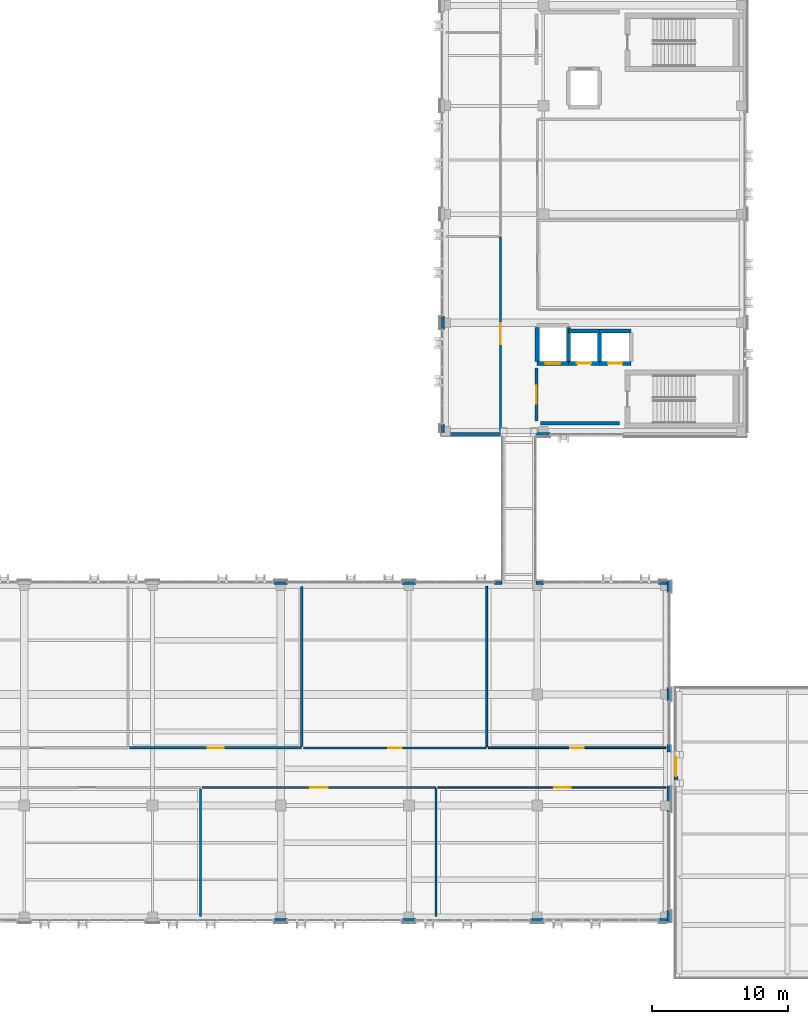
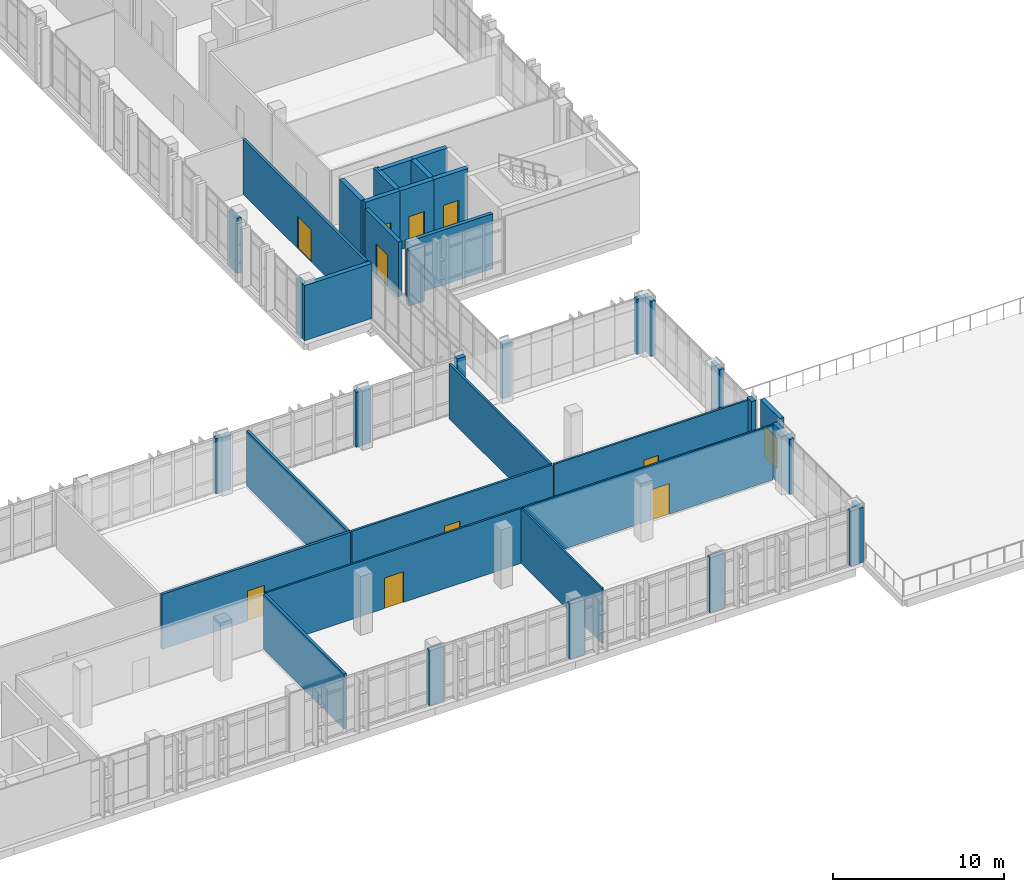
# One storey, part 135 of 165: 39 walls, 11 doors, 11 openings.
"""IFC4 building model written with IfcOpenShell, lengths in metres."""

from ifc_helpers import new_model, si_unit, direction, frame, frame_2d, origin, place, context, subcontext, project, spatial, rectangle, extrude, material, layer, layer_set, type_object, element, fill, save


model = new_model("IFC4")

# Units and contexts
model_context = context("Model", 3, precision=1e-05, world=origin(), true_north=direction((0.0, 1.0)))
body_context = subcontext(model_context, "Body", "Model", "MODEL_VIEW")
ifc_project = project(units=[si_unit("LENGTHUNIT", "METRE"), si_unit("AREAUNIT", "SQUARE_METRE"), si_unit("VOLUMEUNIT", "CUBIC_METRE"), si_unit("PLANEANGLEUNIT", "RADIAN"), si_unit("MASSUNIT", "GRAM", prefix="KILO")], contexts=[model_context])

# Site, building, storey
site_placement = place(None, origin())
site = spatial("IfcSite", under=ifc_project, at=site_placement, CompositionType="ELEMENT")
building_placement = place(site_placement, origin())
building = spatial("IfcBuilding", under=site, at=building_placement, Name="Qalavern Law Courts", CompositionType="ELEMENT")
storey_placement = place(building_placement, frame((0.0, 0.0, 14.39990234375)))
storey = spatial("IfcBuildingStorey", under=building, at=storey_placement, Name="L03", CompositionType="ELEMENT", Elevation=14.39990234375)

# Walls
ifc_material_1 = material(Name="Concrete C40/50", Category="concrete")
ifc_layer_1 = layer(ifc_material_1, 0.294921875)
ifc_layer_set_1 = layer_set([ifc_layer_1], Name="Concrete C40/50")
wall_type_1 = type_object("IfcWallType", Name="ENV-EW-295", PredefinedType="SOLIDWALL", material=ifc_layer_set_1)
for number, where, z_axis, x_axis, name in (
    (1, (71.93701171875, 5.347412109375, 0.0), (0.0, 0.0, 1.0), (1.0, 0.0, 0.0), "V2 exterior pier wall L03 south 4"),
    (2, (81.391357421875, 5.347412109375, 0.0), (0.0, 0.0, 1.0), (1.0, 0.0, 0.0), "V2 exterior pier wall L03 south 5"),
    (3, (90.845703125, 5.347412109375, 0.0), (0.0, 0.0, 1.0), (1.0, 0.0, 0.0), "V2 exterior pier wall L03 south 6"),
):
    element("IfcWall", number, at=place(storey_placement, frame(where, z_axis=z_axis, x_axis=x_axis)), inside=storey, type_object=wall_type_1, Name=name, PredefinedType="SOLIDWALL", context=body_context, shape_type="SweptSolid", body=[
        extrude(rectangle(XDim=1.0, YDim=0.294921875, at=frame_2d((0.5, 0.0))), origin(), (0.0, 0.0, 1.0), 3.920166015625),
    ])
wall_1_placement = place(storey_placement, frame((100.300048828125, 5.347412109375, 0.0), z_axis=(0.0, 0.0, 1.0), x_axis=(1.0, 0.0, 0.0)))
element("IfcWall", 4, at=wall_1_placement, inside=storey, type_object=wall_type_1, Name="V2 exterior pier wall L03 south 7", PredefinedType="SOLIDWALL", context=body_context, shape_type="SweptSolid", body=[
    extrude(rectangle(XDim=0.60986328125, YDim=0.294921875, at=frame_2d((0.304931640625, 0.0))), origin(), (0.0, 0.0, 1.0), 3.920166015625),
])
wall_2_placement = place(storey_placement, frame((101.052490234375, 5.199951171875, 0.0), z_axis=(0.0, 0.0, 1.0), x_axis=(0.0, 1.0, 0.0)))
element("IfcWall", 5, at=wall_2_placement, inside=storey, type_object=wall_type_1, Name="V2 exterior pier wall L03 east 1", PredefinedType="SOLIDWALL", context=body_context, shape_type="SweptSolid", body=[
    extrude(rectangle(XDim=0.900146484375, YDim=0.294921875, at=frame_2d((0.4501953125, 0.0))), origin(), (0.0, 0.0, 1.0), 3.920166015625),
])
wall_3_placement = place(storey_placement, frame((101.052490234375, 13.300048828125, 0.0), z_axis=(0.0, 0.0, 1.0), x_axis=(0.0, 1.0, 0.0)))
element("IfcWall", 6, at=wall_3_placement, inside=storey, type_object=wall_type_1, Name="V2 exterior pier wall L03 east 2", PredefinedType="SOLIDWALL", context=body_context, shape_type="SweptSolid", body=[
    extrude(rectangle(XDim=1.949951171875, YDim=0.294921875, at=frame_2d((0.97509765625, 0.0))), origin(), (0.0, 0.0, 1.0), 3.920166015625),
])
wall_4_placement = place(storey_placement, frame((101.052490234375, 17.75, 0.0), z_axis=(0.0, 0.0, 1.0), x_axis=(0.0, 1.0, 0.0)))
element("IfcWall", 7, at=wall_4_placement, inside=storey, type_object=wall_type_1, Name="V2 exterior pier wall L03 east 1", PredefinedType="SOLIDWALL", context=body_context, shape_type="SweptSolid", body=[
    extrude(rectangle(XDim=0.550048828125, YDim=0.294921875, at=frame_2d((0.27490234375, 0.0))), origin(), (0.0, 0.0, 1.0), 3.920166015625),
])
wall_5_placement = place(storey_placement, frame((101.052490234375, 21.5, 0.0), z_axis=(0.0, 0.0, 1.0), x_axis=(0.0, 1.0, 0.0)))
element("IfcWall", 8, at=wall_5_placement, inside=storey, type_object=wall_type_1, Name="V2 exterior pier wall L03 east 2", PredefinedType="SOLIDWALL", context=body_context, shape_type="SweptSolid", body=[
    extrude(rectangle(XDim=1.0, YDim=0.294921875, at=frame_2d((0.5, 0.0))), origin(), (0.0, 0.0, 1.0), 3.920166015625),
])
wall_6_placement = place(storey_placement, frame((101.052490234375, 29.5, 0.0), z_axis=(0.0, 0.0, 1.0), x_axis=(0.0, 1.0, 0.0)))
element("IfcWall", 9, at=wall_6_placement, inside=storey, type_object=wall_type_1, Name="V2 exterior pier wall L03 east 3", PredefinedType="SOLIDWALL", context=body_context, shape_type="SweptSolid", body=[
    extrude(rectangle(XDim=0.89990234375, YDim=0.294921875, at=frame_2d((0.449951171875, 0.0))), origin(), (0.0, 0.0, 1.0), 3.920166015625),
])
wall_7_placement = place(storey_placement, frame((100.909912109375, 30.25244140625, 0.0), z_axis=(0.0, 0.0, 1.0), x_axis=(-1.0, 0.0, 0.0)))
element("IfcWall", 10, at=wall_7_placement, inside=storey, type_object=wall_type_1, Name="V2 exterior pier wall L03 north 1", PredefinedType="SOLIDWALL", context=body_context, shape_type="SweptSolid", body=[
    extrude(rectangle(XDim=0.60986328125, YDim=0.294921875, at=frame_2d((0.304931640625, 0.0))), origin(), (0.0, 0.0, 1.0), 3.920166015625),
])
wall_8_placement = place(storey_placement, frame((91.845703125, 30.25244140625, 0.0), z_axis=(0.0, 0.0, 1.0), x_axis=(-1.0, 0.0, 0.0)))
element("IfcWall", 11, at=wall_8_placement, inside=storey, type_object=wall_type_1, Name="V2 exterior pier wall L03 north 2", PredefinedType="SOLIDWALL", context=body_context, shape_type="SweptSolid", body=[
    extrude(rectangle(XDim=0.595703125, YDim=0.294921875, at=frame_2d((0.2978515625, 0.0))), origin(), (0.0, 0.0, 1.0), 3.920166015625),
])
wall_9_placement = place(storey_placement, frame((88.75, 30.25244140625, 0.0), z_axis=(0.0, 0.0, 1.0), x_axis=(-1.0, 0.0, 0.0)))
element("IfcWall", 12, at=wall_9_placement, inside=storey, type_object=wall_type_1, Name="V2 exterior pier wall L03 north 1", PredefinedType="SOLIDWALL", context=body_context, shape_type="SweptSolid", body=[
    extrude(rectangle(XDim=0.550048828125, YDim=0.294921875, at=frame_2d((0.27490234375, 0.0))), origin(), (0.0, 0.0, 1.0), 3.920166015625),
])
for number, where, z_axis, x_axis, name in (
    (13, (82.391357421875, 30.25244140625, 0.0), (0.0, 0.0, 1.0), (-1.0, 0.0, 0.0), "V2 exterior pier wall L03 north 2"),
    (14, (72.93701171875, 30.25244140625, 0.0), (0.0, 0.0, 1.0), (-1.0, 0.0, 0.0), "V2 exterior pier wall L03 north 3"),
):
    element("IfcWall", number, at=place(storey_placement, frame(where, z_axis=z_axis, x_axis=x_axis)), inside=storey, type_object=wall_type_1, Name=name, PredefinedType="SOLIDWALL", context=body_context, shape_type="SweptSolid", body=[
        extrude(rectangle(XDim=1.0, YDim=0.294921875, at=frame_2d((0.5, 0.0))), origin(), (0.0, 0.0, 1.0), 3.920166015625),
    ])
wall_10_placement = place(storey_placement, frame((84.199951171875, 41.16748046875, 0.0), z_axis=(0.0, 0.0, 1.0), x_axis=(1.0, 0.0, 0.0)))
element("IfcWall", 15, at=wall_10_placement, inside=storey, type_object=wall_type_1, Name="V4 exterior wall L03 south 1", PredefinedType="SOLIDWALL", context=body_context, shape_type="SweptSolid", body=[
    extrude(rectangle(XDim=4.550048828125, YDim=0.294921875, at=frame_2d((2.27490234375, 0.0))), origin(), (0.0, 0.0, 1.0), 3.920166015625),
])
wall_11_placement = place(storey_placement, frame((91.25, 41.16748046875, 0.0), z_axis=(0.0, 0.0, 1.0), x_axis=(1.0, 0.0, 0.0)))
element("IfcWall", 16, at=wall_11_placement, inside=storey, type_object=wall_type_1, Name="V4 exterior pier wall L03 south 1", PredefinedType="SOLIDWALL", context=body_context, shape_type="SweptSolid", body=[
    extrude(rectangle(XDim=1.050048828125, YDim=0.294921875, at=frame_2d((0.52490234375, 0.0))), origin(), (0.0, 0.0, 1.0), 3.920166015625),
])
wall_12_placement = place(storey_placement, frame((84.347412109375, 49.89990234375, 0.0), z_axis=(0.0, 0.0, 1.0), x_axis=(0.0, -1.0, 0.0)))
element("IfcWall", 17, at=wall_12_placement, inside=storey, type_object=wall_type_1, Name="V4 exterior pier wall L03 west 6", PredefinedType="SOLIDWALL", context=body_context, shape_type="SweptSolid", body=[
    extrude(rectangle(XDim=1.0, YDim=0.294921875, at=frame_2d((0.5, 0.0))), origin(), (0.0, 0.0, 1.0), 3.920166015625),
])
wall_13_placement = place(storey_placement, frame((84.347412109375, 41.919921875, 0.0), z_axis=(0.0, 0.0, 1.0), x_axis=(0.0, -1.0, 0.0)))
element("IfcWall", 18, at=wall_13_placement, inside=storey, type_object=wall_type_1, Name="V4 exterior pier wall L03 west 7", PredefinedType="SOLIDWALL", context=body_context, shape_type="SweptSolid", body=[
    extrude(rectangle(XDim=0.60986328125, YDim=0.294921875, at=frame_2d((0.304931640625, 0.0))), origin(), (0.0, 0.0, 1.0), 3.920166015625),
])

# Wall, opening, door
wall_14_placement = place(storey_placement, frame((101.580078125, 15.3798828125, 0.0), z_axis=(0.0, 0.0, 1.0), x_axis=(0.0, 1.0, 0.0)))
wall_14 = element("IfcWall", 19, at=wall_14_placement, inside=storey, type_object=wall_type_1, Name="Bridge V2-V6 L03 terrace vestibule wall", PredefinedType="SOLIDWALL", context=body_context, shape_type="SweptSolid", body=[
    extrude(rectangle(XDim=2.240234375, YDim=0.294921875, at=frame_2d((1.1201171875, 0.0))), origin(), (0.0, 0.0, 1.0), 3.97216796875),
])
opening_1_placement = place(wall_14_placement, frame((0.580078125, 0.0, 0.0)))
opening_1 = element("IfcOpeningElement", 20, at=opening_1_placement, cuts=wall_14, Name="Opening TD-V6-L03", PredefinedType="OPENING", context=body_context, shape_type="SweptSolid", body=[
    extrude(rectangle(XDim=1.43994140625, YDim=2.219970703125, at=frame_2d((0.719970703125, 1.10986328125))), frame((0.0, 0.162353515625, 0.0), z_axis=(0.0, -1.0, 0.0), x_axis=(1.0, 0.0, 0.0)), (0.0, 0.0, 1.0), 0.32470703125),
])
ifc_material_2 = material(Name="Thermally broken anodised aluminium and laminated safety glass", Category="aluminium")
door_type_1 = type_object("IfcDoorType", Name="ENV-TD-1440x2220", OperationType="DOUBLE_DOOR_SINGLE_SWING", PredefinedType="DOOR", material=ifc_material_2)
door_1_placement = place(opening_1_placement, frame((1.43994140625, 0.0, 0.0), z_axis=(0.0, 0.0, 1.0), x_axis=(-1.0, 0.0, 0.0)))
door_1 = element("IfcDoor", 21, at=door_1_placement, inside=storey, type_object=door_type_1, Name="V6 civic roof terrace access door L03", OperationType="DOUBLE_DOOR_SINGLE_SWING", OverallHeight=2.219970703125, OverallWidth=1.43994140625, PredefinedType="DOOR", context=body_context, shape_type="SweptSolid", body=[
    extrude(rectangle(XDim=1.43994140625, YDim=2.219970703125, at=frame_2d((0.719970703125, 1.10986328125))), frame((0.0, 0.02490234375, 0.0), z_axis=(0.0, -1.0, 0.0), x_axis=(1.0, 0.0, 0.0)), (0.0, 0.0, 1.0), 0.050048828125),
])
fill(opening_1, door_1)

ifc_layer_2 = layer(ifc_material_1, 0.2451171875)
ifc_layer_set_2 = layer_set([ifc_layer_2], Name="Concrete C40/50")
wall_type_2 = type_object("IfcWallType", Name="INT-FW-245", PredefinedType="PARTITIONING", material=ifc_layer_set_2)
wall_15_placement = place(storey_placement, frame((91.300048828125, 42.14990234375, 0.0), z_axis=(0.0, 0.0, 1.0), x_axis=(0.0, 1.0, 0.0)))
wall_15 = element("IfcWall", 22, at=wall_15_placement, inside=storey, type_object=wall_type_2, Name="Core K1A firefighting/stair lobby fire wall L03", PredefinedType="PARTITIONING", context=body_context, shape_type="SweptSolid", body=[
    extrude(rectangle(XDim=3.900146484375, YDim=0.2451171875, at=frame_2d((1.9501953125, 0.0))), origin(), (0.0, 0.0, 1.0), 3.920166015625),
])
opening_2_placement = place(wall_15_placement, frame((1.27490234375, 0.0, 0.0)))
opening_2 = element("IfcOpeningElement", 23, at=opening_2_placement, cuts=wall_15, Name="Opening L03-D012", PredefinedType="OPENING", context=body_context, shape_type="SweptSolid", body=[
    extrude(rectangle(XDim=1.35009765625, YDim=2.199951171875, at=frame_2d((0.675048828125, 1.10009765625))), frame((0.0, 0.137451171875, 0.0), z_axis=(0.0, -1.0, 0.0), x_axis=(1.0, 0.0, 0.0)), (0.0, 0.0, 1.0), 0.27490234375),
])
ifc_material_3 = material(Name="Steel fire-rated frame and acoustic timber leaves", Category="steel")
door_type_2 = type_object("IfcDoorType", Name="INT-FD-1350x2200", OperationType="DOUBLE_DOOR_SINGLE_SWING", PredefinedType="DOOR", material=ifc_material_3)
door_2_placement = place(opening_2_placement, origin())
door_2 = element("IfcDoor", 24, at=door_2_placement, inside=storey, type_object=door_type_2, Name="Core K1A lobby fire door L03", OperationType="DOUBLE_DOOR_SINGLE_SWING", OverallHeight=2.199951171875, OverallWidth=1.35009765625, PredefinedType="DOOR", context=body_context, shape_type="SweptSolid", body=[
    extrude(rectangle(XDim=1.35009765625, YDim=2.199951171875, at=frame_2d((0.675048828125, 1.10009765625))), frame((0.0, 0.02490234375, 0.0), z_axis=(0.0, -1.0, 0.0), x_axis=(1.0, 0.0, 0.0)), (0.0, 0.0, 1.0), 0.050048828125),
])
fill(opening_2, door_2)

# Wall
wall_16_placement = place(storey_placement, frame((91.60009765625, 42.0, 0.0), z_axis=(0.0, 0.0, 1.0), x_axis=(1.0, 0.0, 0.0)))
element("IfcWall", 25, at=wall_16_placement, inside=storey, type_object=wall_type_2, Name="Core K1A lobby return wall L03 south", PredefinedType="PARTITIONING", context=body_context, shape_type="SweptSolid", body=[
    extrude(rectangle(XDim=5.7998046875, YDim=0.2451171875, at=frame_2d((2.89990234375, 0.0))), origin(), (0.0, 0.0, 1.0), 3.920166015625),
])

# Wall, opening, door
ifc_material_4 = material(Name="Gypsum stud partition")
ifc_layer_3 = layer(ifc_material_4, 0.112060546875)
ifc_layer_set_3 = layer_set([ifc_layer_3], Name="Gypsum stud partition")
wall_type_3 = type_object("IfcWallType", Name="INT-PW-112", PredefinedType="PARTITIONING", material=ifc_layer_set_3)
wall_17_placement = place(storey_placement, frame((84.00390625, 15.139892578125, 0.0), z_axis=(0.0, 0.0, 1.0), x_axis=(1.0, 0.0, 0.0)))
wall_17 = element("IfcWall", 26, at=wall_17_placement, inside=storey, type_object=wall_type_3, Name="En Banc Judges Robing Suite corridor partition L03", PredefinedType="PARTITIONING", context=body_context, shape_type="SweptSolid", body=[
    extrude(rectangle(XDim=16.816162109375, YDim=0.112060546875, at=frame_2d((8.408203125, 0.0))), origin(), (0.0, 0.0, 1.0), 3.920166015625),
])
opening_3_placement = place(wall_17_placement, frame((8.597900390625, 0.0, 0.0)))
opening_3 = element("IfcOpeningElement", 27, at=opening_3_placement, cuts=wall_17, Name="Opening L03-D182", PredefinedType="OPENING", context=body_context, shape_type="SweptSolid", body=[
    extrude(rectangle(XDim=1.219970703125, YDim=2.179931640625, at=frame_2d((0.60986328125, 1.08984375))), frame((0.0, 0.07080078125, 0.0), z_axis=(0.0, -1.0, 0.0), x_axis=(1.0, 0.0, 0.0)), (0.0, 0.0, 1.0), 0.141845703125),
])
ifc_material_5 = material(Name="Wide oak Plenary Boardroom door")
door_type_3 = type_object("IfcDoorType", Name="INT-ID-1220x2180", OperationType="NOTDEFINED", PredefinedType="DOOR", material=ifc_material_5)
door_3_placement = place(opening_3_placement, frame((1.219970703125, 0.0, 0.0), z_axis=(0.0, 0.0, 1.0), x_axis=(-1.0, 0.0, 0.0)))
door_3 = element("IfcDoor", 28, at=door_3_placement, inside=storey, type_object=door_type_3, Name="En Banc Judges Robing Suite door L03", OperationType="SINGLE_SWING_RIGHT", OverallHeight=2.179931640625, OverallWidth=1.219970703125, PredefinedType="DOOR", context=body_context, shape_type="SweptSolid", body=[
    extrude(rectangle(XDim=1.219970703125, YDim=2.179931640625, at=frame_2d((0.60986328125, 1.08984375))), frame((0.0, 0.02490234375, 0.0), z_axis=(0.0, -1.0, 0.0), x_axis=(1.0, 0.0, 0.0)), (0.0, 0.0, 1.0), 0.050048828125),
])
fill(opening_3, door_3)

ifc_layer_4 = layer(ifc_material_4, 0.1220703125)
ifc_layer_set_4 = layer_set([ifc_layer_4], Name="Gypsum stud partition")
wall_type_4 = type_object("IfcWallType", Name="INT-PW-122", PredefinedType="PARTITIONING", material=ifc_layer_set_4)
wall_18_placement = place(storey_placement, frame((66.637939453125, 15.139892578125, 0.0), z_axis=(0.0, 0.0, 1.0), x_axis=(1.0, 0.0, 0.0)))
wall_18 = element("IfcWall", 29, at=wall_18_placement, inside=storey, type_object=wall_type_4, Name="Ceremonial Public Waiting Hall corridor partition L03", PredefinedType="PARTITIONING", context=body_context, shape_type="SweptSolid", body=[
    extrude(rectangle(XDim=17.24609375, YDim=0.1220703125, at=frame_2d((8.623046875, 0.0))), origin(), (0.0, 0.0, 1.0), 3.920166015625),
])
opening_4_placement = place(wall_18_placement, frame((7.98291015625, 0.0, 0.0)))
opening_4 = element("IfcOpeningElement", 30, at=opening_4_placement, cuts=wall_18, Name="Opening L03-D181", PredefinedType="OPENING", context=body_context, shape_type="SweptSolid", body=[
    extrude(rectangle(XDim=1.280029296875, YDim=2.179931640625, at=frame_2d((0.64013671875, 1.08984375))), frame((0.0, 0.075927734375, 0.0), z_axis=(0.0, -1.0, 0.0), x_axis=(1.0, 0.0, 0.0)), (0.0, 0.0, 1.0), 0.15185546875),
])
ifc_material_6 = material(Name="Wide oak Judicial Conference door")
door_type_4 = type_object("IfcDoorType", Name="INT-ID-1280x2180", OperationType="NOTDEFINED", PredefinedType="DOOR", material=ifc_material_6)
door_4_placement = place(opening_4_placement, frame((1.280029296875, 0.0, 0.0), z_axis=(0.0, 0.0, 1.0), x_axis=(-1.0, 0.0, 0.0)))
door_4 = element("IfcDoor", 31, at=door_4_placement, inside=storey, type_object=door_type_4, Name="Ceremonial Public Waiting Hall door L03", OperationType="SINGLE_SWING_LEFT", OverallHeight=2.179931640625, OverallWidth=1.280029296875, PredefinedType="DOOR", context=body_context, shape_type="SweptSolid", body=[
    extrude(rectangle(XDim=1.280029296875, YDim=2.179931640625, at=frame_2d((0.64013671875, 1.08984375))), frame((0.0, 0.02490234375, 0.0), z_axis=(0.0, -1.0, 0.0), x_axis=(1.0, 0.0, 0.0)), (0.0, 0.0, 1.0), 0.050048828125),
])
fill(opening_4, door_4)

# Wall
wall_19_placement = place(storey_placement, frame((83.884033203125, 5.639892578125, 0.0), z_axis=(0.0, 0.0, 1.0), x_axis=(0.0, 1.0, 0.0)))
element("IfcWall", 32, at=wall_19_placement, inside=storey, type_object=wall_type_4, Name="Ceremonial Public Waiting Hall cross partition L03 east", PredefinedType="PARTITIONING", context=body_context, shape_type="SweptSolid", body=[
    extrude(rectangle(XDim=9.419189453125, YDim=0.1220703125, at=frame_2d((4.70947265625, 0.0))), origin(), (0.0, 0.0, 1.0), 3.920166015625),
])

# Wall, opening, door
ifc_layer_5 = layer(ifc_material_4, 0.132080078125)
ifc_layer_set_5 = layer_set([ifc_layer_5], Name="Gypsum stud partition")
wall_type_5 = type_object("IfcWallType", Name="INT-PW-132", PredefinedType="PARTITIONING", material=ifc_layer_set_5)
wall_20_placement = place(storey_placement, frame((87.738037109375, 18.06005859375, 0.0), z_axis=(0.0, 0.0, 1.0), x_axis=(1.0, 0.0, 0.0)))
wall_20 = element("IfcWall", 33, at=wall_20_placement, inside=storey, type_object=wall_type_5, Name="En Banc Judges Robing Suite corridor partition L03", PredefinedType="PARTITIONING", context=body_context, shape_type="SweptSolid", body=[
    extrude(rectangle(XDim=13.08203125, YDim=0.132080078125, at=frame_2d((6.541015625, 0.0))), origin(), (0.0, 0.0, 1.0), 3.920166015625),
])
opening_5_placement = place(wall_20_placement, frame((6.041015625, 0.0, 0.0)))
opening_5 = element("IfcOpeningElement", 34, at=opening_5_placement, cuts=wall_20, Name="Opening L03-D187", PredefinedType="OPENING", context=body_context, shape_type="SweptSolid", body=[
    extrude(rectangle(XDim=1.0, YDim=2.10009765625, at=frame_2d((0.5, 1.050048828125))), frame((0.0, 0.0810546875, 0.0), z_axis=(0.0, -1.0, 0.0), x_axis=(1.0, 0.0, 0.0)), (0.0, 0.0, 1.0), 0.161865234375),
])
ifc_material_7 = material(Name="Timber Judicial Clerks' Office door", Category="wood")
door_type_5 = type_object("IfcDoorType", Name="INT-ID-1000x2100", OperationType="NOTDEFINED", PredefinedType="DOOR", material=ifc_material_7)
door_5_placement = place(opening_5_placement, origin())
door_5 = element("IfcDoor", 35, at=door_5_placement, inside=storey, type_object=door_type_5, Name="En Banc Judges Robing Suite door L03", OperationType="SINGLE_SWING_LEFT", OverallHeight=2.10009765625, OverallWidth=1.0, PredefinedType="DOOR", context=body_context, shape_type="SweptSolid", body=[
    extrude(rectangle(XDim=1.0, YDim=2.10009765625, at=frame_2d((0.5, 1.050048828125))), frame((0.0, 0.02490234375, 0.0), z_axis=(0.0, -1.0, 0.0), x_axis=(1.0, 0.0, 0.0)), (0.0, 0.0, 1.0), 0.050048828125),
])
fill(opening_5, door_5)

ifc_layer_6 = layer(ifc_material_4, 0.14208984375)
ifc_layer_set_6 = layer_set([ifc_layer_6], Name="Gypsum stud partition")
wall_type_6 = type_object("IfcWallType", Name="INT-PW-142", PredefinedType="PARTITIONING", material=ifc_layer_set_6)
wall_21_placement = place(storey_placement, frame((74.10498046875, 18.06005859375, 0.0), z_axis=(0.0, 0.0, 1.0), x_axis=(1.0, 0.0, 0.0)))
wall_21 = element("IfcWall", 36, at=wall_21_placement, inside=storey, type_object=wall_type_6, Name="Ceremonial Public Waiting Hall corridor partition L03", PredefinedType="PARTITIONING", context=body_context, shape_type="SweptSolid", body=[
    extrude(rectangle(XDim=13.512939453125, YDim=0.14208984375, at=frame_2d((6.75634765625, 0.0))), origin(), (0.0, 0.0, 1.0), 3.920166015625),
])
opening_6_placement = place(wall_21_placement, frame((6.241455078125, 0.0, 0.0)))
opening_6 = element("IfcOpeningElement", 37, at=opening_6_placement, cuts=wall_21, Name="Opening L03-D186", PredefinedType="OPENING", context=body_context, shape_type="SweptSolid", body=[
    extrude(rectangle(XDim=1.030029296875, YDim=2.110107421875, at=frame_2d((0.51513671875, 1.05517578125))), frame((0.0, 0.0859375, 0.0), z_axis=(0.0, -1.0, 0.0), x_axis=(1.0, 0.0, 0.0)), (0.0, 0.0, 1.0), 0.171875),
])
ifc_material_8 = material(Name="Oak Mediation Suite door")
door_type_6 = type_object("IfcDoorType", Name="INT-ID-1030x2110", OperationType="NOTDEFINED", PredefinedType="DOOR", material=ifc_material_8)
door_6_placement = place(opening_6_placement, origin())
door_6 = element("IfcDoor", 38, at=door_6_placement, inside=storey, type_object=door_type_6, Name="Ceremonial Public Waiting Hall door L03", OperationType="SINGLE_SWING_RIGHT", OverallHeight=2.110107421875, OverallWidth=1.030029296875, PredefinedType="DOOR", context=body_context, shape_type="SweptSolid", body=[
    extrude(rectangle(XDim=1.030029296875, YDim=2.110107421875, at=frame_2d((0.51513671875, 1.05517578125))), frame((0.0, 0.02490234375, 0.0), z_axis=(0.0, -1.0, 0.0), x_axis=(1.0, 0.0, 0.0)), (0.0, 0.0, 1.0), 0.050048828125),
])
fill(opening_6, door_6)

# Walls
wall_22_placement = place(storey_placement, frame((87.617919921875, 18.15087890625, 0.0), z_axis=(0.0, 0.0, 1.0), x_axis=(0.0, 1.0, 0.0)))
element("IfcWall", 39, at=wall_22_placement, inside=storey, type_object=wall_type_6, Name="Ceremonial Public Waiting Hall cross partition L03 east", PredefinedType="PARTITIONING", context=body_context, shape_type="SweptSolid", body=[
    extrude(rectangle(XDim=11.80908203125, YDim=0.14208984375, at=frame_2d((5.904541015625, 0.0))), origin(), (0.0, 0.0, 1.0), 3.920166015625),
])
ifc_material_9 = material(Name="Gypsum acoustic stud partition")
ifc_layer_7 = layer(ifc_material_9, 0.174072265625)
ifc_layer_set_7 = layer_set([ifc_layer_7], Name="Gypsum acoustic stud partition")
wall_type_7 = type_object("IfcWallType", Name="INT-PW-174", PredefinedType="PARTITIONING", material=ifc_layer_set_7)
wall_23_placement = place(storey_placement, frame((66.51806640625, 5.639892578125, 0.0), z_axis=(0.0, 0.0, 1.0), x_axis=(0.0, 1.0, 0.0)))
element("IfcWall", 40, at=wall_23_placement, inside=storey, type_object=wall_type_7, Name="Ceremonial Courtroom cross partition L03 east", PredefinedType="PARTITIONING", context=body_context, shape_type="SweptSolid", body=[
    extrude(rectangle(XDim=9.39306640625, YDim=0.174072265625, at=frame_2d((4.696533203125, 0.0))), origin(), (0.0, 0.0, 1.0), 3.920166015625),
])

# Wall, opening, door
wall_24_placement = place(storey_placement, frame((61.298095703125, 18.06005859375, 0.0), z_axis=(0.0, 0.0, 1.0), x_axis=(1.0, 0.0, 0.0)))
wall_24 = element("IfcWall", 41, at=wall_24_placement, inside=storey, type_object=wall_type_7, Name="Ceremonial Courtroom corridor partition L03", PredefinedType="PARTITIONING", context=body_context, shape_type="SweptSolid", body=[
    extrude(rectangle(XDim=12.68701171875, YDim=0.174072265625, at=frame_2d((6.343505859375, 0.0))), origin(), (0.0, 0.0, 1.0), 3.920166015625),
])
opening_7_placement = place(wall_24_placement, frame((5.7685546875, 0.0, 0.0)))
opening_7 = element("IfcOpeningElement", 42, at=opening_7_placement, cuts=wall_24, Name="Opening L03-D185", PredefinedType="OPENING", context=body_context, shape_type="SweptSolid", body=[
    extrude(rectangle(XDim=1.14990234375, YDim=2.14990234375, at=frame_2d((0.574951171875, 1.074951171875))), frame((0.0, 0.10205078125, 0.0), z_axis=(0.0, -1.0, 0.0), x_axis=(1.0, 0.0, 0.0)), (0.0, 0.0, 1.0), 0.203857421875),
])
ifc_material_10 = material(Name="Acoustic oak Witness Waiting door")
door_type_7 = type_object("IfcDoorType", Name="INT-ID-1150x2150", OperationType="NOTDEFINED", PredefinedType="DOOR", material=ifc_material_10)
door_7_placement = place(opening_7_placement, origin())
door_7 = element("IfcDoor", 43, at=door_7_placement, inside=storey, type_object=door_type_7, Name="Ceremonial Courtroom door L03", OperationType="SINGLE_SWING_LEFT", OverallHeight=2.14990234375, OverallWidth=1.14990234375, PredefinedType="DOOR", context=body_context, shape_type="SweptSolid", body=[
    extrude(rectangle(XDim=1.14990234375, YDim=2.14990234375, at=frame_2d((0.574951171875, 1.074951171875))), frame((0.0, 0.02490234375, 0.0), z_axis=(0.0, -1.0, 0.0), x_axis=(1.0, 0.0, 0.0)), (0.0, 0.0, 1.0), 0.050048828125),
])
fill(opening_7, door_7)

# Wall
wall_25_placement = place(storey_placement, frame((73.985107421875, 18.1669921875, 0.0), z_axis=(0.0, 0.0, 1.0), x_axis=(0.0, 1.0, 0.0)))
element("IfcWall", 44, at=wall_25_placement, inside=storey, type_object=wall_type_7, Name="Ceremonial Courtroom cross partition L03 east", PredefinedType="PARTITIONING", context=body_context, shape_type="SweptSolid", body=[
    extrude(rectangle(XDim=11.79296875, YDim=0.174072265625, at=frame_2d((5.896484375, 0.0))), origin(), (0.0, 0.0, 1.0), 3.920166015625),
])

# Wall, opening, door
wall_26_placement = place(storey_placement, frame((88.639892578125, 41.39990234375, 0.0), z_axis=(0.0, 0.0, 1.0), x_axis=(0.0, 1.0, 0.0)))
wall_26 = element("IfcWall", 45, at=wall_26_placement, inside=storey, type_object=wall_type_7, Name="Commercial Courtroom corridor partition L03", PredefinedType="PARTITIONING", context=body_context, shape_type="SweptSolid", body=[
    extrude(rectangle(XDim=14.358154296875, YDim=0.174072265625, at=frame_2d((7.17919921875, 0.0))), origin(), (0.0, 0.0, 1.0), 3.920166015625),
])
opening_8_placement = place(wall_26_placement, frame((6.404052734375, 0.0, 0.0)))
opening_8 = element("IfcOpeningElement", 46, at=opening_8_placement, cuts=wall_26, Name="Opening L03-D278", PredefinedType="OPENING", context=body_context, shape_type="SweptSolid", body=[
    extrude(rectangle(XDim=1.550048828125, YDim=2.280029296875, at=frame_2d((0.77490234375, 1.14013671875))), frame((0.0, 0.10205078125, 0.0), z_axis=(0.0, -1.0, 0.0), x_axis=(1.0, 0.0, 0.0)), (0.0, 0.0, 1.0), 0.203857421875),
])
ifc_material_11 = material(Name="Acoustic oak double Civil Courtroom door")
door_type_8 = type_object("IfcDoorType", Name="INT-ID-1550x2280", OperationType="DOUBLE_DOOR_SINGLE_SWING", PredefinedType="DOOR", material=ifc_material_11)
door_8_placement = place(opening_8_placement, frame((1.550048828125, 0.0, 0.0), z_axis=(0.0, 0.0, 1.0), x_axis=(-1.0, 0.0, 0.0)))
door_8 = element("IfcDoor", 47, at=door_8_placement, inside=storey, type_object=door_type_8, Name="Commercial Courtroom door L03", OperationType="DOUBLE_DOOR_SINGLE_SWING", OverallHeight=2.280029296875, OverallWidth=1.550048828125, PredefinedType="DOOR", context=body_context, shape_type="SweptSolid", body=[
    extrude(rectangle(XDim=1.550048828125, YDim=2.280029296875, at=frame_2d((0.77490234375, 1.14013671875))), frame((0.0, 0.02490234375, 0.0), z_axis=(0.0, -1.0, 0.0), x_axis=(1.0, 0.0, 0.0)), (0.0, 0.0, 1.0), 0.050048828125),
])
fill(opening_8, door_8)

ifc_material_12 = material(Name="Concrete C45/55", Category="concrete")
ifc_layer_8 = layer(ifc_material_12, 0.304931640625)
ifc_layer_set_8 = layer_set([ifc_layer_8], Name="Concrete C45/55")
wall_type_8 = type_object("IfcWallType", Name="INT-SW-305", PredefinedType="SHEAR", material=ifc_layer_set_8)
wall_27_placement = place(storey_placement, frame((91.347412109375, 46.3974609375, 0.0), z_axis=(0.0, 0.0, 1.0), x_axis=(1.0, 0.0, 0.0)))
wall_27 = element("IfcWall", 48, at=wall_27_placement, inside=storey, type_object=wall_type_8, Name="Lift LF-FF1 shaft wall L03 south", PredefinedType="SHEAR", context=body_context, shape_type="SweptSolid", body=[
    extrude(rectangle(XDim=2.30517578125, YDim=0.304931640625, at=frame_2d((1.152587890625, 0.0))), origin(), (0.0, 0.0, 1.0), 4.2001953125),
])
opening_9_placement = place(wall_27_placement, frame((0.6025390625, 0.0, 0.0)))
opening_9 = element("IfcOpeningElement", 49, at=opening_9_placement, cuts=wall_27, Name="Opening LD-LF-FF1-L03", PredefinedType="OPENING", context=body_context, shape_type="SweptSolid", body=[
    extrude(rectangle(XDim=1.10009765625, YDim=2.159912109375, at=frame_2d((0.550048828125, 1.080078125))), frame((0.0, 0.16748046875, 0.0), z_axis=(0.0, -1.0, 0.0), x_axis=(1.0, 0.0, 0.0)), (0.0, 0.0, 1.0), 0.334716796875),
])
ifc_material_13 = material(Name="Stainless steel firefighting lift sliding landing door", Category="steel")
door_type_9 = type_object("IfcDoorType", Name="INT-LD-1100x2160", OperationType="DOUBLE_DOOR_SLIDING", PredefinedType="DOOR", material=ifc_material_13)
door_9_placement = place(opening_9_placement, origin())
door_9 = element("IfcDoor", 50, at=door_9_placement, inside=storey, type_object=door_type_9, Name="Lift LF-FF1 sliding landing door L03", OperationType="DOUBLE_DOOR_SLIDING", OverallHeight=2.159912109375, OverallWidth=1.10009765625, PredefinedType="DOOR", context=body_context, shape_type="SweptSolid", body=[
    extrude(rectangle(XDim=1.10009765625, YDim=2.159912109375, at=frame_2d((0.550048828125, 1.080078125))), frame((0.0, 0.02490234375, 0.0), z_axis=(0.0, -1.0, 0.0), x_axis=(1.0, 0.0, 0.0)), (0.0, 0.0, 1.0), 0.050048828125),
])
fill(opening_9, door_9)

# Walls
for number, where, z_axis, x_axis, name in (
    (51, (93.652587890625, 46.550048828125, 0.0), (0.0, 0.0, 1.0), (0.0, 1.0, 0.0), "Lift LF-FF1 shaft wall L03 east"),
    (52, (91.347412109375, 49.050048828125, 0.0), (0.0, 0.0, 1.0), (0.0, -1.0, 0.0), "Lift LF-FF1 shaft wall L03 west"),
):
    element("IfcWall", number, at=place(storey_placement, frame(where, z_axis=z_axis, x_axis=x_axis)), inside=storey, type_object=wall_type_8, Name=name, PredefinedType="SHEAR", context=body_context, shape_type="SweptSolid", body=[
        extrude(rectangle(XDim=2.5, YDim=0.304931640625, at=frame_2d((1.25, 0.0))), origin(), (0.0, 0.0, 1.0), 4.2001953125),
    ])

# Wall, opening, door
wall_28_placement = place(storey_placement, frame((93.6474609375, 46.3974609375, 0.0), z_axis=(0.0, 0.0, 1.0), x_axis=(1.0, 0.0, 0.0)))
wall_28 = element("IfcWall", 53, at=wall_28_placement, inside=storey, type_object=wall_type_8, Name="Lift LF-P1 shaft wall L03 south", PredefinedType="SHEAR", context=body_context, shape_type="SweptSolid", body=[
    extrude(rectangle(XDim=2.304931640625, YDim=0.304931640625, at=frame_2d((1.15234375, 0.0))), origin(), (0.0, 0.0, 1.0), 4.2001953125),
])
opening_10_placement = place(wall_28_placement, frame((0.62744140625, 0.0, 0.0)))
opening_10 = element("IfcOpeningElement", 54, at=opening_10_placement, cuts=wall_28, Name="Opening LD-LF-P1-L03", PredefinedType="OPENING", context=body_context, shape_type="SweptSolid", body=[
    extrude(rectangle(XDim=1.050048828125, YDim=2.14990234375, at=frame_2d((0.52490234375, 1.074951171875))), frame((0.0, 0.16748046875, 0.0), z_axis=(0.0, -1.0, 0.0), x_axis=(1.0, 0.0, 0.0)), (0.0, 0.0, 1.0), 0.334716796875),
])
ifc_material_14 = material(Name="Brushed stainless steel passenger lift sliding landing door", Category="steel")
door_type_10 = type_object("IfcDoorType", Name="INT-LD-1050x2150", OperationType="DOUBLE_DOOR_SLIDING", PredefinedType="DOOR", material=ifc_material_14)
door_10_placement = place(opening_10_placement, origin())
door_10 = element("IfcDoor", 55, at=door_10_placement, inside=storey, type_object=door_type_10, Name="Lift LF-P1 sliding landing door L03", OperationType="DOUBLE_DOOR_SLIDING", OverallHeight=2.14990234375, OverallWidth=1.050048828125, PredefinedType="DOOR", context=body_context, shape_type="SweptSolid", body=[
    extrude(rectangle(XDim=1.050048828125, YDim=2.14990234375, at=frame_2d((0.52490234375, 1.074951171875))), frame((0.0, 0.02490234375, 0.0), z_axis=(0.0, -1.0, 0.0), x_axis=(1.0, 0.0, 0.0)), (0.0, 0.0, 1.0), 0.050048828125),
])
fill(opening_10, door_10)

# Walls
wall_29_placement = place(storey_placement, frame((95.952392578125, 46.550048828125, 0.0), z_axis=(0.0, 0.0, 1.0), x_axis=(0.0, 1.0, 0.0)))
element("IfcWall", 56, at=wall_29_placement, inside=storey, type_object=wall_type_8, Name="Lift LF-P1 shaft wall L03 east", PredefinedType="SHEAR", context=body_context, shape_type="SweptSolid", body=[
    extrude(rectangle(XDim=2.099853515625, YDim=0.304931640625, at=frame_2d((1.0498046875, 0.0))), origin(), (0.0, 0.0, 1.0), 4.2001953125),
])
wall_30_placement = place(storey_placement, frame((95.952392578125, 48.802490234375, 0.0), z_axis=(0.0, 0.0, 1.0), x_axis=(-1.0, 0.0, 0.0)))
element("IfcWall", 57, at=wall_30_placement, inside=storey, type_object=wall_type_8, Name="Lift LF-P1 shaft wall L03 north", PredefinedType="SHEAR", context=body_context, shape_type="SweptSolid", body=[
    extrude(rectangle(XDim=2.304931640625, YDim=0.304931640625, at=frame_2d((1.15234375, 0.0))), origin(), (0.0, 0.0, 1.0), 4.2001953125),
])

# Wall, opening, door
wall_31_placement = place(storey_placement, frame((95.947509765625, 46.3974609375, 0.0), z_axis=(0.0, 0.0, 1.0), x_axis=(1.0, 0.0, 0.0)))
wall_31 = element("IfcWall", 58, at=wall_31_placement, inside=storey, type_object=wall_type_8, Name="Lift LF-P2 shaft wall L03 south", PredefinedType="SHEAR", context=body_context, shape_type="SweptSolid", body=[
    extrude(rectangle(XDim=2.304931640625, YDim=0.304931640625, at=frame_2d((1.15234375, 0.0))), origin(), (0.0, 0.0, 1.0), 4.2001953125),
])
opening_11_placement = place(wall_31_placement, frame((0.62744140625, 0.0, 0.0)))
opening_11 = element("IfcOpeningElement", 59, at=opening_11_placement, cuts=wall_31, Name="Opening LD-LF-P2-L03", PredefinedType="OPENING", context=body_context, shape_type="SweptSolid", body=[
    extrude(rectangle(XDim=1.050048828125, YDim=2.14990234375, at=frame_2d((0.52490234375, 1.074951171875))), frame((0.0, 0.16748046875, 0.0), z_axis=(0.0, -1.0, 0.0), x_axis=(1.0, 0.0, 0.0)), (0.0, 0.0, 1.0), 0.334716796875),
])
door_11_placement = place(opening_11_placement, origin())
door_11 = element("IfcDoor", 60, at=door_11_placement, inside=storey, type_object=door_type_10, Name="Lift LF-P2 sliding landing door L03", OperationType="DOUBLE_DOOR_SLIDING", OverallHeight=2.14990234375, OverallWidth=1.050048828125, PredefinedType="DOOR", context=body_context, shape_type="SweptSolid", body=[
    extrude(rectangle(XDim=1.050048828125, YDim=2.14990234375, at=frame_2d((0.52490234375, 1.074951171875))), frame((0.0, 0.02490234375, 0.0), z_axis=(0.0, -1.0, 0.0), x_axis=(1.0, 0.0, 0.0)), (0.0, 0.0, 1.0), 0.050048828125),
])
fill(opening_11, door_11)

# Wall
wall_32_placement = place(storey_placement, frame((98.25244140625, 48.802490234375, 0.0), z_axis=(0.0, 0.0, 1.0), x_axis=(-1.0, 0.0, 0.0)))
element("IfcWall", 61, at=wall_32_placement, inside=storey, type_object=wall_type_8, Name="Lift LF-P2 shaft wall L03 north", PredefinedType="SHEAR", context=body_context, shape_type="SweptSolid", body=[
    extrude(rectangle(XDim=2.304931640625, YDim=0.304931640625, at=frame_2d((1.15234375, 0.0))), origin(), (0.0, 0.0, 1.0), 4.2001953125),
])

save(model, "model.ifc")
